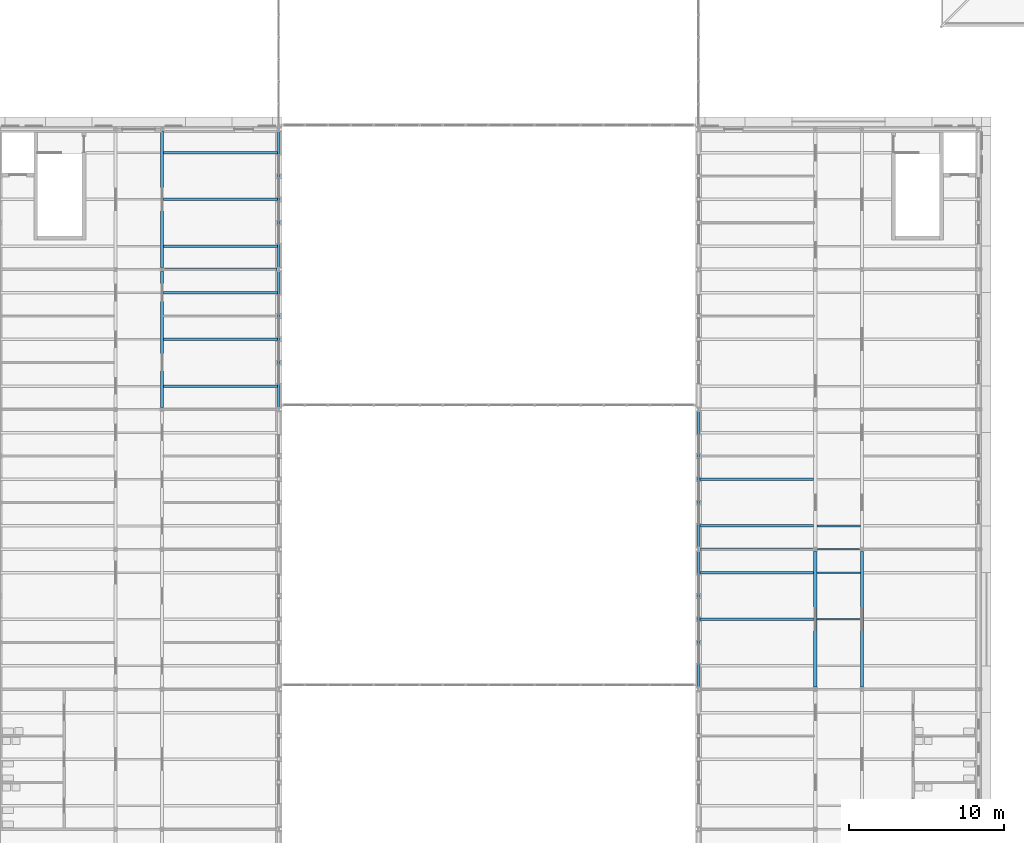
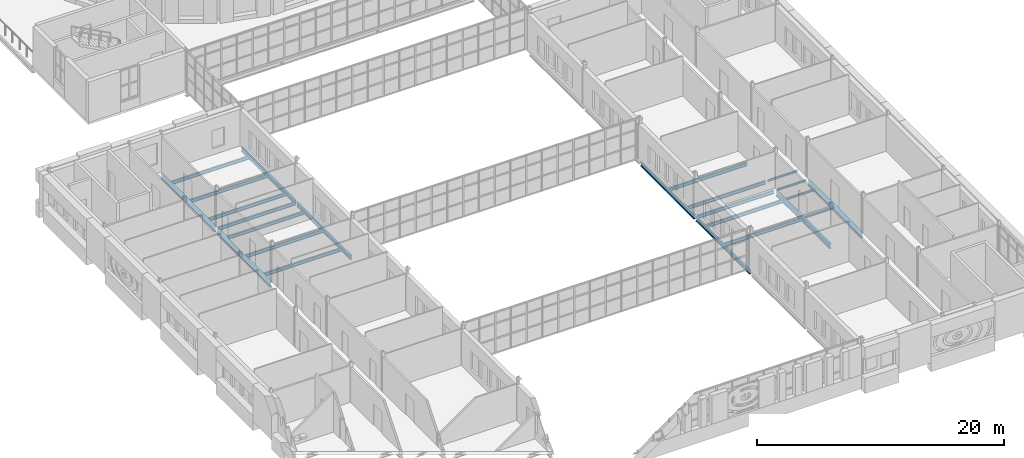
# One storey, part 32 of 154: 24 beams.
"""IFC4 building model written with IfcOpenShell, lengths in metres."""

from ifc_helpers import new_model, si_unit, direction, frame, origin, origin_2d, place, context, subcontext, project, spatial, i_section, extrude, material, material_profile, profile_set, type_object, element, save


model = new_model("IFC4")

# Units and contexts
model_context = context("Model", 3, precision=1e-05, world=origin(), true_north=direction((0.0, 1.0)))
body_context = subcontext(model_context, "Body", "Model", "MODEL_VIEW")
ifc_project = project(units=[si_unit("LENGTHUNIT", "METRE"), si_unit("AREAUNIT", "SQUARE_METRE"), si_unit("VOLUMEUNIT", "CUBIC_METRE"), si_unit("PLANEANGLEUNIT", "RADIAN"), si_unit("MASSUNIT", "GRAM", prefix="KILO")], contexts=[model_context])

# Site, building, storey
site_placement = place(None, origin())
site = spatial("IfcSite", under=ifc_project, at=site_placement, CompositionType="ELEMENT")
building_placement = place(site_placement, origin())
building = spatial("IfcBuilding", under=site, at=building_placement, Name="Golden Quay Civic Hall", CompositionType="ELEMENT")
storey_placement = place(building_placement, frame((0.0, 0.0, 14.39990234375)))
storey = spatial("IfcBuildingStorey", under=building, at=storey_placement, Name="L03", CompositionType="ELEMENT", Elevation=14.39990234375)

# Beams
ifc_material_1 = material(Name="Steel S355", Category="steel")
ifc_material_profile_1 = material_profile(ifc_material_1, i_section(OverallWidth=0.10009765625, OverallDepth=0.199951171875, WebThickness=0.005615234375, FlangeThickness=0.008544921875, FilletRadius=0.011962890625, at=origin_2d()), Name="IPE 200")
ifc_profile_set_1 = profile_set([ifc_material_profile_1], Name="Steel S355")
beam_type_1 = type_object("IfcBeamType", Name="Steel beam IPE 200", PredefinedType="BEAM", material=ifc_profile_set_1)
beam_1_placement = place(storey_placement, frame((106.639892578125, 27.0, -0.2998046875), z_axis=(1.0, 0.0, 0.0), x_axis=(0.0, 1.0, 0.0)))
element("IfcBeam", 1, at=beam_1_placement, inside=storey, type_object=beam_type_1, Name="Beam S27-106.5", PredefinedType="BEAM", context=body_context, shape_type="SweptSolid", body=[
    extrude(i_section(OverallWidth=0.10009765625, OverallDepth=0.199951171875, WebThickness=0.005615234375, FlangeThickness=0.008544921875, FilletRadius=0.011962890625, at=origin_2d()), origin(), (0.0, 0.0, 1.0), 2.72021484375),
])
ifc_material_2 = material(Name="Steel S355", Category="steel")
ifc_material_profile_2 = material_profile(ifc_material_2, i_section(OverallWidth=0.159912109375, OverallDepth=0.330078125, WebThickness=0.007568359375, FlangeThickness=0.011474609375, FilletRadius=0.01806640625, at=origin_2d()), Name="IPE 330")
ifc_profile_set_2 = profile_set([ifc_material_profile_2], Name="Steel S355")
beam_type_2 = type_object("IfcBeamType", Name="Steel beam IPE 330", PredefinedType="BEAM", material=ifc_profile_set_2)
for number, where, z_axis, x_axis, name in (
    (2, (64.639892578125, 45.0, -0.364990234375), (1.0, 0.0, 0.0), (0.0, 1.0, 0.0), "Beam S45-64.5"),
    (3, (99.1201171875, 27.0, -0.364990234375), (1.0, 0.0, 0.0), (0.0, 1.0, 0.0), "Beam S27-99"),
):
    element("IfcBeam", number, at=place(storey_placement, frame(where, z_axis=z_axis, x_axis=x_axis)), inside=storey, type_object=beam_type_2, Name=name, PredefinedType="BEAM", context=body_context, shape_type="SweptSolid", body=[
        extrude(i_section(OverallWidth=0.159912109375, OverallDepth=0.330078125, WebThickness=0.007568359375, FlangeThickness=0.011474609375, FilletRadius=0.01806640625, at=origin_2d()), origin(), (0.0, 0.0, 1.0), 7.239990234375),
    ])
ifc_material_3 = material(Name="Steel S355", Category="steel")
ifc_material_profile_3 = material_profile(ifc_material_3, i_section(OverallWidth=0.179931640625, OverallDepth=0.39990234375, WebThickness=0.008544921875, FlangeThickness=0.013427734375, FilletRadius=0.02099609375, at=origin_2d()), Name="IPE 400")
ifc_profile_set_3 = profile_set([ifc_material_profile_3], Name="Steel S355")
beam_type_3 = type_object("IfcBeamType", Name="Steel beam IPE 400", PredefinedType="BEAM", material=ifc_profile_set_3)
for number, where, z_axis, x_axis, name in (
    (4, (72.0, 36.114990234375, -0.39990234375), (0.0, 1.0, 0.0), (-1.0, 0.0, 0.0), "Beam L72-36"),
    (5, (72.0, 45.114990234375, -0.39990234375), (0.0, 1.0, 0.0), (-1.0, 0.0, 0.0), "Beam L72-45"),
    (6, (99.0, 18.114990234375, -0.39990234375), (0.0, 1.0, 0.0), (-1.0, 0.0, 0.0), "Beam L99-18"),
    (7, (99.0, 27.114990234375, -0.39990234375), (0.0, 1.0, 0.0), (-1.0, 0.0, 0.0), "Beam L99-27"),
):
    element("IfcBeam", number, at=place(storey_placement, frame(where, z_axis=z_axis, x_axis=x_axis)), inside=storey, type_object=beam_type_3, Name=name, PredefinedType="BEAM", context=body_context, shape_type="SweptSolid", body=[
        extrude(i_section(OverallWidth=0.179931640625, OverallDepth=0.39990234375, WebThickness=0.008544921875, FlangeThickness=0.013427734375, FilletRadius=0.02099609375, at=origin_2d()), origin(), (0.0, 0.0, 1.0), 8.77001953125),
    ])
ifc_material_4 = material(Name="Steel S355", Category="steel")
ifc_material_profile_4 = material_profile(ifc_material_4, i_section(OverallWidth=0.199951171875, OverallDepth=0.5, WebThickness=0.01025390625, FlangeThickness=0.01611328125, FilletRadius=0.02099609375, at=origin_2d()), Name="IPE 500")
ifc_profile_set_4 = profile_set([ifc_material_profile_4], Name="Steel S355")
beam_type_4 = type_object("IfcBeamType", Name="Steel beam IPE 500", PredefinedType="BEAM", material=ifc_profile_set_4)
beam_2_placement = place(storey_placement, frame((64.5, 36.135009765625, -0.449951171875), z_axis=(0.0, 1.0, 0.0), x_axis=(-1.0, 0.0, 0.0)))
element("IfcBeam", 8, at=beam_2_placement, inside=storey, type_object=beam_type_4, Name="Beam L64.5-36", PredefinedType="BEAM", context=body_context, shape_type="SweptSolid", body=[
    extrude(i_section(OverallWidth=0.199951171875, OverallDepth=0.5, WebThickness=0.01025390625, FlangeThickness=0.01611328125, FilletRadius=0.02099609375, at=origin_2d()), origin(), (0.0, 0.0, 1.0), 8.72998046875),
])
beam_3_placement = place(storey_placement, frame((64.5, 45.135009765625, -0.449951171875), z_axis=(0.0, 1.0, 0.0), x_axis=(-1.0, 0.0, 0.0)))
element("IfcBeam", 9, at=beam_3_placement, inside=storey, type_object=beam_type_4, Name="Beam L64.5-45", PredefinedType="BEAM", context=body_context, shape_type="SweptSolid", body=[
    extrude(i_section(OverallWidth=0.199951171875, OverallDepth=0.5, WebThickness=0.01025390625, FlangeThickness=0.01611328125, FilletRadius=0.02099609375, at=origin_2d()), origin(), (0.0, 0.0, 1.0), 8.75),
])
for number, where, z_axis, x_axis, name in (
    (10, (106.5, 18.135009765625, -0.449951171875), (0.0, 1.0, 0.0), (-1.0, 0.0, 0.0), "Beam L106.5-18"),
    (11, (109.5, 18.135009765625, -0.449951171875), (0.0, 1.0, 0.0), (-1.0, 0.0, 0.0), "Beam L109.5-18"),
):
    element("IfcBeam", number, at=place(storey_placement, frame(where, z_axis=z_axis, x_axis=x_axis)), inside=storey, type_object=beam_type_4, Name=name, PredefinedType="BEAM", context=body_context, shape_type="SweptSolid", body=[
        extrude(i_section(OverallWidth=0.199951171875, OverallDepth=0.5, WebThickness=0.01025390625, FlangeThickness=0.01611328125, FilletRadius=0.02099609375, at=origin_2d()), origin(), (0.0, 0.0, 1.0), 8.72998046875),
    ])
ifc_material_5 = material(Name="Steel S355", Category="steel")
ifc_material_profile_5 = material_profile(ifc_material_5, i_section(OverallWidth=0.10009765625, OverallDepth=0.199951171875, WebThickness=0.005615234375, FlangeThickness=0.008544921875, FilletRadius=0.011962890625, at=origin_2d()), Name="IPE 200")
ifc_profile_set_5 = profile_set([ifc_material_profile_5], Name="Steel S355")
beam_type_5 = type_object("IfcBeamType", Name="Steel joist IPE 200", PredefinedType="JOIST", material=ifc_profile_set_5)
for number, where, z_axis, x_axis, name in (
    (12, (106.60009765625, 22.5, -0.2998046875), (1.0, 0.0, 0.0), (0.0, 1.0, 0.0), "Joist J22.5-106.5"),
    (13, (106.60009765625, 25.5, -0.2998046875), (1.0, 0.0, 0.0), (0.0, 1.0, 0.0), "Joist J25.5-106.5"),
    (14, (106.60009765625, 28.5, -0.2998046875), (1.0, 0.0, 0.0), (0.0, 1.0, 0.0), "Joist J28.5-106.5"),
):
    element("IfcBeam", number, at=place(storey_placement, frame(where, z_axis=z_axis, x_axis=x_axis)), inside=storey, type_object=beam_type_5, Name=name, PredefinedType="JOIST", context=body_context, shape_type="SweptSolid", body=[
        extrude(i_section(OverallWidth=0.10009765625, OverallDepth=0.199951171875, WebThickness=0.005615234375, FlangeThickness=0.008544921875, FilletRadius=0.011962890625, at=origin_2d()), origin(), (0.0, 0.0, 1.0), 2.7998046875),
    ])
ifc_material_6 = material(Name="Steel S355", Category="steel")
ifc_material_profile_6 = material_profile(ifc_material_6, i_section(OverallWidth=0.159912109375, OverallDepth=0.330078125, WebThickness=0.007568359375, FlangeThickness=0.011474609375, FilletRadius=0.01806640625, at=origin_2d()), Name="IPE 330")
ifc_profile_set_6 = profile_set([ifc_material_profile_6], Name="Steel S355")
beam_type_6 = type_object("IfcBeamType", Name="Steel joist IPE 330", PredefinedType="JOIST", material=ifc_profile_set_6)
for number, where, z_axis, x_axis, name in (
    (15, (64.60009765625, 37.5, -0.364990234375), (1.0, 0.0, 0.0), (0.0, 1.0, 0.0), "Joist J37.5-64.5"),
    (16, (64.60009765625, 40.5, -0.364990234375), (1.0, 0.0, 0.0), (0.0, 1.0, 0.0), "Joist J40.5-64.5"),
    (17, (64.60009765625, 43.5, -0.364990234375), (1.0, 0.0, 0.0), (0.0, 1.0, 0.0), "Joist J43.5-64.5"),
    (18, (64.60009765625, 46.5, -0.364990234375), (1.0, 0.0, 0.0), (0.0, 1.0, 0.0), "Joist J46.5-64.5"),
    (19, (64.60009765625, 49.5, -0.364990234375), (1.0, 0.0, 0.0), (0.0, 1.0, 0.0), "Joist J49.5-64.5"),
    (20, (64.60009765625, 52.5, -0.364990234375), (1.0, 0.0, 0.0), (0.0, 1.0, 0.0), "Joist J52.5-64.5"),
    (21, (99.090087890625, 22.5, -0.364990234375), (1.0, 0.0, 0.0), (0.0, 1.0, 0.0), "Joist J22.5-99"),
    (22, (99.090087890625, 25.5, -0.364990234375), (1.0, 0.0, 0.0), (0.0, 1.0, 0.0), "Joist J25.5-99"),
    (23, (99.090087890625, 28.5, -0.364990234375), (1.0, 0.0, 0.0), (0.0, 1.0, 0.0), "Joist J28.5-99"),
    (24, (99.090087890625, 31.5, -0.364990234375), (1.0, 0.0, 0.0), (0.0, 1.0, 0.0), "Joist J31.5-99"),
):
    element("IfcBeam", number, at=place(storey_placement, frame(where, z_axis=z_axis, x_axis=x_axis)), inside=storey, type_object=beam_type_6, Name=name, PredefinedType="JOIST", context=body_context, shape_type="SweptSolid", body=[
        extrude(i_section(OverallWidth=0.159912109375, OverallDepth=0.330078125, WebThickness=0.007568359375, FlangeThickness=0.011474609375, FilletRadius=0.01806640625, at=origin_2d()), origin(), (0.0, 0.0, 1.0), 7.309814453125),
    ])

save(model, "model.ifc")
